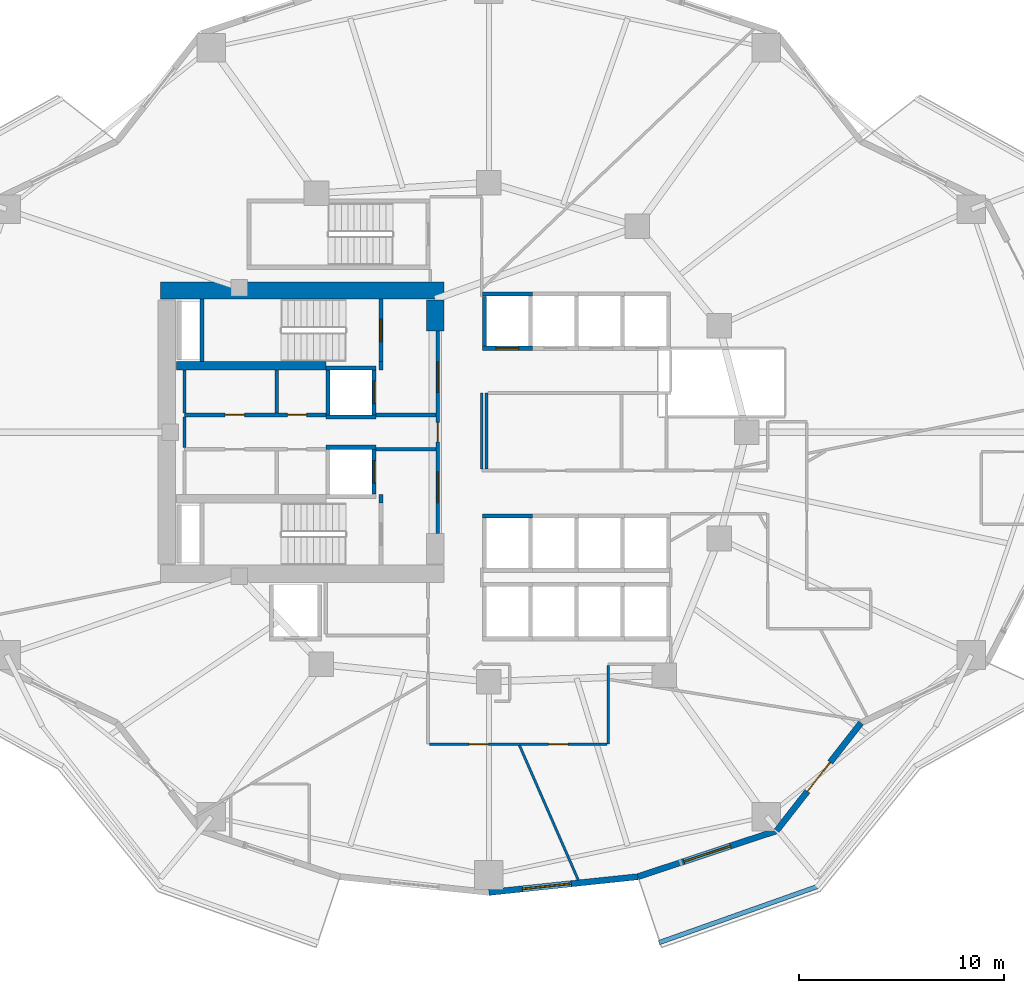
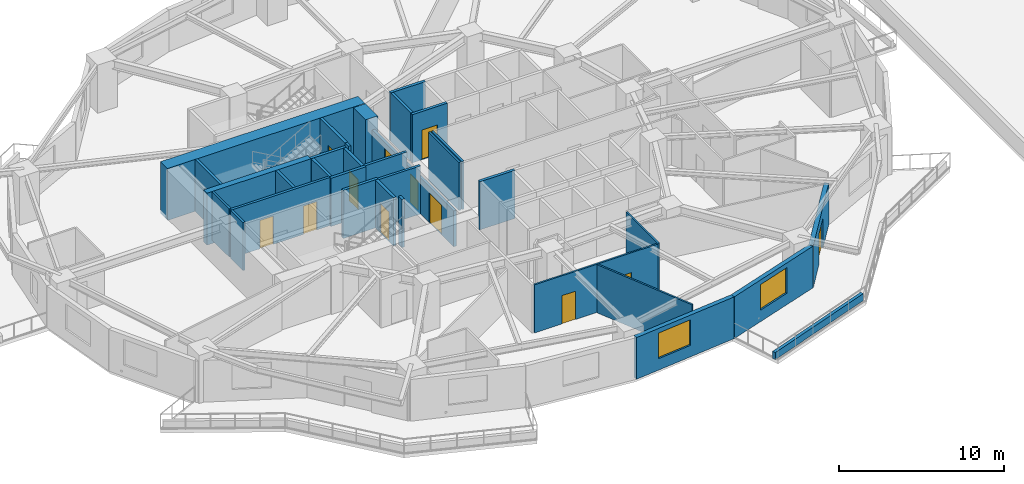
# One storey, part 4 of 13: 33 walls, 12 doors, 2 windows, 14 openings.
"""IFC4 building model written with IfcOpenShell, lengths in metres."""

import ifcopenshell
import ifcopenshell.guid

model = None  # the IFC model being written
_history = None  # IfcOwnerHistory: only IFC2X3 demands one
_inside = {}  # id of a spatial element -> (the spatial element, [elements in it])
_under = {}  # id of a project, library or spatial element -> (it, [spatial elements below it])
_declared = {}  # id of a project -> (the project, [libraries it declares])
_typed = {}  # id of a type object -> (the type object, [elements of that type])
_made_of = {}  # id of a material, layer set ... -> (it, [elements and type objects made of it])


def new_model(schema):
    """Start an empty IFC model of exactly this schema.

    Asked for "IFC4X3", IfcOpenShell would pick the latest addendum, in which some entities
    have other attributes; the version numbers below select the first issue.
    IFC2X3 requires an IfcOwnerHistory on every rooted entity: one is made here for all.
    """
    global model, _history
    if schema == "IFC4X3":
        model = ifcopenshell.file(schema_version=(4, 3, 0, 0))
    else:
        model = ifcopenshell.file(schema=schema)
    _inside.clear()
    _under.clear()
    _declared.clear()
    _typed.clear()
    _made_of.clear()
    _history = None
    if model.schema == "IFC2X3":
        org = make("IfcOrganization", Name="unknown")
        user = make(
            "IfcPersonAndOrganization",
            ThePerson=make("IfcPerson", FamilyName="unknown"),
            TheOrganization=org,
        )
        app = make(
            "IfcApplication",
            ApplicationDeveloper=org,
            Version="unknown",
            ApplicationFullName="unknown",
            ApplicationIdentifier="unknown",
        )
        _history = make(
            "IfcOwnerHistory",
            OwningUser=user,
            OwningApplication=app,
            ChangeAction="ADDED",
            CreationDate=0,
        )
    return model


def make(cls, **values):
    """One entity of the class cls with the attributes given. An attribute that is None is left unset."""
    return model.create_entity(
        cls, **{name: value for name, value in values.items() if value is not None}
    )


def rooted(cls, **values):
    """An entity with a GlobalId (a new one), such as an element, a storey or a relation."""
    return make(cls, GlobalId=ifcopenshell.guid.new(), OwnerHistory=_history, **values)


def si_unit(unit_type, name, prefix=None):
    """IfcSIUnit, for example si_unit("LENGTHUNIT", "METRE", prefix="MILLI")."""
    return make("IfcSIUnit", UnitType=unit_type, Prefix=prefix, Name=name)


def assignment(units):
    """IfcUnitAssignment: the units of a project."""
    return None if units is None else make("IfcUnitAssignment", Units=units)


def point(xyz):
    """IfcCartesianPoint."""
    return None if xyz is None else make("IfcCartesianPoint", Coordinates=xyz)


def direction(xyz):
    """IfcDirection."""
    return None if xyz is None else make("IfcDirection", DirectionRatios=xyz)


def frame(location, z_axis=None, x_axis=None):
    """IfcAxis2Placement3D, a coordinate frame: its origin and axes. An axis left out is left unset."""
    return make(
        "IfcAxis2Placement3D",
        Location=point(location),
        Axis=direction(z_axis),
        RefDirection=direction(x_axis),
    )


def frame_2d(location, x_axis=None):
    """IfcAxis2Placement2D, a coordinate frame in the plane: its origin and x axis."""
    return make(
        "IfcAxis2Placement2D", Location=point(location), RefDirection=direction(x_axis)
    )


def origin():
    """The frame at (0, 0, 0) with its axes left unset."""
    return frame((0.0, 0.0, 0.0))


def place(relative_to, where):
    """IfcLocalPlacement: puts the frame where relative to a parent placement (None: the world)."""
    return make(
        "IfcLocalPlacement", PlacementRelTo=relative_to, RelativePlacement=where
    )


def context(
    kind, dimensions, precision=None, world=None, true_north=None, identifier=None
):
    """IfcGeometricRepresentationContext, for example the 3D "Model" context."""
    return make(
        "IfcGeometricRepresentationContext",
        ContextIdentifier=identifier,
        ContextType=kind,
        CoordinateSpaceDimension=dimensions,
        Precision=precision,
        WorldCoordinateSystem=world,
        TrueNorth=true_north,
    )


def subcontext(parent, identifier, kind, view, scale=None):
    """IfcGeometricRepresentationSubContext, for example "Body" below "Model"."""
    return make(
        "IfcGeometricRepresentationSubContext",
        ContextIdentifier=identifier,
        ContextType=kind,
        ParentContext=parent,
        TargetScale=scale,
        TargetView=view,
    )


def project(units=None, contexts=None):
    """IfcProject with its units and contexts."""
    return rooted(
        "IfcProject",
        Name="project",
        RepresentationContexts=contexts,
        UnitsInContext=assignment(units),
    )


def spatial(cls, under=None, at=None, **own):
    """A site, building, storey or space (cls), placed at a placement, below another one or the project."""
    s = rooted(cls, ObjectPlacement=at, **own)
    if under is not None:
        _under.setdefault(under.id(), (under, []))[1].append(s)
    return s


def profile(cls, at=None, kind="AREA", **sizes):
    """A parametric profile (cls). Its sizes go by their IFC names, for example OverallWidth=200.0."""
    return make(cls, ProfileType=kind, Position=at, **sizes)


def rectangle(**sizes):
    """IfcRectangleProfileDef."""
    return profile("IfcRectangleProfileDef", **sizes)


def extrude(swept, where, along, depth):
    """IfcExtrudedAreaSolid: the profile swept, set in the frame where, extruded along a direction by depth."""
    return make(
        "IfcExtrudedAreaSolid",
        SweptArea=swept,
        Position=where,
        ExtrudedDirection=direction(along),
        Depth=depth,
    )


def shape(context_of_items, identifier, shape_type, items):
    """IfcShapeRepresentation: the items that make up one representation, for example the "Body"."""
    return make(
        "IfcShapeRepresentation",
        ContextOfItems=context_of_items,
        RepresentationIdentifier=identifier,
        RepresentationType=shape_type,
        Items=items,
    )


def material(Name=None, Category=None):
    """IfcMaterial."""
    return make("IfcMaterial", Name=Name, Category=Category)


def layer(
    of_material, thickness, ventilated=None, Name=None, Category=None, Priority=None
):
    """IfcMaterialLayer: one layer of a wall or slab, of a material (None: an air gap)."""
    return make(
        "IfcMaterialLayer",
        Material=of_material,
        LayerThickness=thickness,
        IsVentilated=ventilated,
        Name=Name,
        Category=Category,
        Priority=Priority,
    )


def layer_set(layers, Name=None):
    """IfcMaterialLayerSet."""
    return make("IfcMaterialLayerSet", MaterialLayers=layers, LayerSetName=Name)


def made_of(thing, what):
    """Note that an element or type object is made of a material, layer set ...; save() writes the relation."""
    if what is not None:
        _made_of.setdefault(what.id(), (what, []))[1].append(thing)
    return thing


def type_object(cls, material=None, **own):
    """A type object (cls), such as IfcWallType, which elements share."""
    return made_of(rooted(cls, **own), material)


def element(
    cls,
    number,
    at=None,
    inside=None,
    cuts=None,
    type_object=None,
    material=None,
    context=None,
    identifier="Body",
    shape_type=None,
    held_by="IfcProductDefinitionShape",
    body=None,
    shapes=None,
    **own,
):
    """One element of the class cls, such as IfcWall. Its Tag is "e" and its number.

    at: its placement. inside: the storey or other place that contains it. cuts: it is an
    opening in that element (IfcRelVoidsElement). A single representation is given by context,
    identifier, shape_type and body (its items); several are given by shapes. held_by: the class
    of the entity that holds the representations. save() writes the other relations.
    """
    e = rooted(cls, Tag="e%d" % number, ObjectPlacement=at, **own)
    if body is not None:
        shapes = [shape(context, identifier, shape_type, body)]
    if shapes is not None:
        e.Representation = make(held_by, Representations=shapes)
    if inside is not None:
        _inside.setdefault(inside.id(), (inside, []))[1].append(e)
    if cuts is not None:
        rooted(
            "IfcRelVoidsElement", RelatingBuildingElement=cuts, RelatedOpeningElement=e
        )
    if type_object is not None:
        _typed.setdefault(type_object.id(), (type_object, []))[1].append(e)
    return made_of(e, material)


def fill(opening, filler):
    """IfcRelFillsElement: the door or window that sits in an opening."""
    return rooted(
        "IfcRelFillsElement",
        RelatingOpeningElement=opening,
        RelatedBuildingElement=filler,
    )


def aggregate(whole, parts):
    """IfcRelAggregates: a whole, such as a stair, and the parts it consists of."""
    return rooted("IfcRelAggregates", RelatingObject=whole, RelatedObjects=parts)


def save(model, path):
    """Write the relations noted so far, then the file.

    IfcRelAggregates (storeys below a building ...), IfcRelContainedInSpatialStructure (elements
    in a storey), IfcRelDefinesByType, IfcRelAssociatesMaterial and IfcRelDeclares: one each for
    every whole, place, type object, material and project.
    """
    for whole, parts in _under.values():
        aggregate(whole, parts)
    for where, things in _inside.values():
        rooted(
            "IfcRelContainedInSpatialStructure",
            RelatedElements=things,
            RelatingStructure=where,
        )
    for kind, things in _typed.values():
        rooted("IfcRelDefinesByType", RelatedObjects=things, RelatingType=kind)
    for what, things in _made_of.values():
        rooted("IfcRelAssociatesMaterial", RelatedObjects=things, RelatingMaterial=what)
    for by, libraries in _declared.values():
        rooted("IfcRelDeclares", RelatingContext=by, RelatedDefinitions=libraries)
    model.write(path)


model = new_model("IFC4")

# Units and contexts
model_context = context("Model", 3, precision=1e-05, world=origin(), true_north=direction((0.0, 1.0)))
body_context = subcontext(model_context, "Body", "Model", "MODEL_VIEW")
ifc_project = project(units=[si_unit("LENGTHUNIT", "METRE"), si_unit("AREAUNIT", "SQUARE_METRE"), si_unit("VOLUMEUNIT", "CUBIC_METRE"), si_unit("PLANEANGLEUNIT", "RADIAN"), si_unit("MASSUNIT", "GRAM", prefix="KILO")], contexts=[model_context])

# Site, building, storey
site_placement = place(None, origin())
site = spatial("IfcSite", under=ifc_project, at=site_placement, CompositionType="ELEMENT")
building_placement = place(site_placement, origin())
building = spatial("IfcBuilding", under=site, at=building_placement, Name="Kolvaren Gate Tower and Convention Centre", CompositionType="ELEMENT")
storey_placement = place(building_placement, frame((0.0, 0.0, 26.5)))
storey = spatial("IfcBuildingStorey", under=building, at=storey_placement, Name="L05", CompositionType="ELEMENT", Elevation=26.5)

# Walls
ifc_material_1 = material(Name="Autoclaved Aerated Masonry Blockwork Class 4 (4.0 MPa)", Category="masonry")
ifc_layer_1 = layer(ifc_material_1, 0.179931640625)
ifc_layer_set_1 = layer_set([ifc_layer_1], Name="Autoclaved Aerated Masonry Blockwork Class 4 (4.0 MPa)")
wall_type_1 = type_object("IfcWallType", Name="ARCH-WL-COMP-180", PredefinedType="SOLIDWALL", material=ifc_layer_set_1)
for number, where, z_axis, x_axis, name in (
    (1, (24.85009765625, 23.5400390625, 0.0), (0.0, 0.0, 1.0), (0.0, 1.0, 0.0), "Interior Partition WL-L05-INT-001"),
    (2, (24.85009765625, 30.0400390625, 0.0), (0.0, 0.0, 1.0), (0.0, 1.0, 0.0), "Interior Partition WL-L05-INT-002"),
):
    element("IfcWall", number, at=place(storey_placement, frame(where, z_axis=z_axis, x_axis=x_axis)), inside=storey, type_object=wall_type_1, Name=name, PredefinedType="SOLIDWALL", context=body_context, shape_type="SweptSolid", body=[
        extrude(rectangle(XDim=0.419921875, YDim=0.179931640625, at=frame_2d((0.2099609375, 0.0))), origin(), (0.0, 0.0, 1.0), 3.570068359375),
    ])

# Wall, openings, doors
wall_1_placement = place(storey_placement, frame((27.6201171875, 22.050048828125, 0.0), z_axis=(0.0, 0.0, 1.0), x_axis=(0.0, 1.0, 0.0)))
wall_1 = element("IfcWall", 3, at=wall_1_placement, inside=storey, type_object=wall_type_1, Name="Interior Partition WL-L05-INT-003", PredefinedType="SOLIDWALL", context=body_context, shape_type="SweptSolid", body=[
    extrude(rectangle(XDim=9.89990234375, YDim=0.179931640625, at=frame_2d((4.949951171875, 0.0))), origin(), (0.0, 0.0, 1.0), 2.662109375),
])
opening_1_placement = place(wall_1_placement, frame((4.47509765625, 0.0, 0.0)))
opening_1 = element("IfcOpeningElement", 4, at=opening_1_placement, cuts=wall_1, Name="Opening DR-01", PredefinedType="OPENING", context=body_context, shape_type="SweptSolid", body=[
    extrude(rectangle(XDim=0.949951171875, YDim=2.10009765625, at=frame_2d((0.47509765625, 1.050048828125))), frame((0.0, 0.099853515625, 0.0), z_axis=(0.0, -1.0, 0.0), x_axis=(1.0, 0.0, 0.0)), (0.0, 0.0, 1.0), 0.199951171875),
])
opening_2_placement = place(wall_1_placement, frame((6.889892578125, 0.0, 0.0)))
opening_2 = element("IfcOpeningElement", 5, at=opening_2_placement, cuts=wall_1, Name="Opening DL-01", PredefinedType="OPENING", context=body_context, shape_type="SweptSolid", body=[
    extrude(rectangle(XDim=1.5, YDim=2.199951171875, at=frame_2d((0.75, 1.10009765625))), frame((0.0, 0.099853515625, 0.0), z_axis=(0.0, -1.0, 0.0), x_axis=(1.0, 0.0, 0.0)), (0.0, 0.0, 1.0), 0.199951171875),
])
opening_3_placement = place(wall_1_placement, frame((1.510009765625, 0.0, 0.0)))
opening_3 = element("IfcOpeningElement", 6, at=opening_3_placement, cuts=wall_1, Name="Opening DL-01", PredefinedType="OPENING", context=body_context, shape_type="SweptSolid", body=[
    extrude(rectangle(XDim=1.5, YDim=2.199951171875, at=frame_2d((0.75, 1.10009765625))), frame((0.0, 0.099853515625, 0.0), z_axis=(0.0, -1.0, 0.0), x_axis=(1.0, 0.0, 0.0)), (0.0, 0.0, 1.0), 0.199951171875),
])
ifc_material_2 = material(Name="Painted Architectural Steelwork ASTM A500 Grade C 345 MPa", Category="steel")
door_type_1 = type_object("IfcDoorType", Name="ARCH-DR-LOBBY-1500", OperationType="DOUBLE_DOOR_SINGLE_SWING", PredefinedType="DOOR", material=ifc_material_2)
door_1_placement = place(opening_2_placement, origin())
door_1 = element("IfcDoor", 7, at=door_1_placement, inside=storey, type_object=door_type_1, Name="North Firefighting Stair and Lift Lobby Door", OperationType="DOUBLE_DOOR_SINGLE_SWING", OverallHeight=2.199951171875, OverallWidth=1.5, PredefinedType="DOOR", context=body_context, shape_type="SweptSolid", body=[
    extrude(rectangle(XDim=1.5, YDim=2.199951171875, at=frame_2d((0.75, 1.10009765625))), frame((0.0, 0.02490234375, 0.0), z_axis=(0.0, -1.0, 0.0), x_axis=(1.0, 0.0, 0.0)), (0.0, 0.0, 1.0), 0.050048828125),
])
fill(opening_2, door_1)
door_2_placement = place(opening_3_placement, origin())
door_2 = element("IfcDoor", 8, at=door_2_placement, inside=storey, type_object=door_type_1, Name="South Firefighting Stair and Lift Lobby Door", OperationType="DOUBLE_DOOR_SINGLE_SWING", OverallHeight=2.199951171875, OverallWidth=1.5, PredefinedType="DOOR", context=body_context, shape_type="SweptSolid", body=[
    extrude(rectangle(XDim=1.5, YDim=2.199951171875, at=frame_2d((0.75, 1.10009765625))), frame((0.0, 0.02490234375, 0.0), z_axis=(0.0, -1.0, 0.0), x_axis=(1.0, 0.0, 0.0)), (0.0, 0.0, 1.0), 0.050048828125),
])
fill(opening_3, door_2)
door_type_2 = type_object("IfcDoorType", Name="ARCH-DR-RISER-950", OperationType="SINGLE_SWING_RIGHT", PredefinedType="DOOR", material=ifc_material_2)
door_3_placement = place(opening_1_placement, origin())
door_3 = element("IfcDoor", 9, at=door_3_placement, inside=storey, type_object=door_type_2, Name="Central MEP Service Corridor Door", OperationType="SINGLE_SWING_LEFT", OverallHeight=2.10009765625, OverallWidth=0.949951171875, PredefinedType="DOOR", context=body_context, shape_type="SweptSolid", body=[
    extrude(rectangle(XDim=0.949951171875, YDim=2.10009765625, at=frame_2d((0.47509765625, 1.050048828125))), frame((0.0, 0.02490234375, 0.0), z_axis=(0.0, -1.0, 0.0), x_axis=(1.0, 0.0, 0.0)), (0.0, 0.0, 1.0), 0.050048828125),
])
fill(opening_1, door_3)

wall_2_placement = place(storey_placement, frame((15.25, 27.840087890625, 0.0), z_axis=(0.0, 0.0, 1.0), x_axis=(1.0, 0.0, 0.0)))
wall_2 = element("IfcWall", 10, at=wall_2_placement, inside=storey, type_object=wall_type_1, Name="Interior Partition WL-L05-INT-004", PredefinedType="SOLIDWALL", context=body_context, shape_type="SweptSolid", body=[
    extrude(rectangle(XDim=6.89990234375, YDim=0.179931640625, at=frame_2d((3.449951171875, 0.0))), origin(), (0.0, 0.0, 1.0), 3.570068359375),
])
opening_4_placement = place(wall_2_placement, frame((5.02001953125, 0.0, 0.0)))
opening_4 = element("IfcOpeningElement", 11, at=opening_4_placement, cuts=wall_2, Name="Opening DR-01", PredefinedType="OPENING", context=body_context, shape_type="SweptSolid", body=[
    extrude(rectangle(XDim=0.949951171875, YDim=2.10009765625, at=frame_2d((0.47509765625, 1.050048828125))), frame((0.0, 0.099853515625, 0.0), z_axis=(0.0, -1.0, 0.0), x_axis=(1.0, 0.0, 0.0)), (0.0, 0.0, 1.0), 0.199951171875),
])
opening_5_placement = place(wall_2_placement, frame((1.97998046875, 0.0, 0.0)))
opening_5 = element("IfcOpeningElement", 12, at=opening_5_placement, cuts=wall_2, Name="Opening DR-01", PredefinedType="OPENING", context=body_context, shape_type="SweptSolid", body=[
    extrude(rectangle(XDim=0.949951171875, YDim=2.10009765625, at=frame_2d((0.47509765625, 1.050048828125))), frame((0.0, 0.099853515625, 0.0), z_axis=(0.0, -1.0, 0.0), x_axis=(1.0, 0.0, 0.0)), (0.0, 0.0, 1.0), 0.199951171875),
])
door_4_placement = place(opening_4_placement, origin())
door_4 = element("IfcDoor", 13, at=door_4_placement, inside=storey, type_object=door_type_2, Name="Electrical Switchgear Closet Door", OperationType="SINGLE_SWING_RIGHT", OverallHeight=2.10009765625, OverallWidth=0.949951171875, PredefinedType="DOOR", context=body_context, shape_type="SweptSolid", body=[
    extrude(rectangle(XDim=0.949951171875, YDim=2.10009765625, at=frame_2d((0.47509765625, 1.050048828125))), frame((0.0, 0.02490234375, 0.0), z_axis=(0.0, -1.0, 0.0), x_axis=(1.0, 0.0, 0.0)), (0.0, 0.0, 1.0), 0.050048828125),
])
fill(opening_4, door_4)
door_5_placement = place(opening_5_placement, origin())
door_5 = element("IfcDoor", 14, at=door_5_placement, inside=storey, type_object=door_type_2, Name="Staff Powder Washroom Door", OperationType="SINGLE_SWING_RIGHT", OverallHeight=2.10009765625, OverallWidth=0.949951171875, PredefinedType="DOOR", context=body_context, shape_type="SweptSolid", body=[
    extrude(rectangle(XDim=0.949951171875, YDim=2.10009765625, at=frame_2d((0.47509765625, 1.050048828125))), frame((0.0, 0.02490234375, 0.0), z_axis=(0.0, -1.0, 0.0), x_axis=(1.0, 0.0, 0.0)), (0.0, 0.0, 1.0), 0.050048828125),
])
fill(opening_5, door_5)

# Walls
for number, where, z_axis, x_axis, name in (
    (15, (24.60009765625, 27.840087890625, 0.0), (0.0, 0.0, 1.0), (1.0, 0.0, 0.0), "Interior Partition WL-L05-INT-004 (2)"),
    (16, (24.60009765625, 26.159912109375, 0.0), (0.0, 0.0, 1.0), (1.0, 0.0, 0.0), "Interior Partition WL-L05-INT-005 (2)"),
):
    element("IfcWall", number, at=place(storey_placement, frame(where, z_axis=z_axis, x_axis=x_axis)), inside=storey, type_object=wall_type_1, Name=name, PredefinedType="SOLIDWALL", context=body_context, shape_type="SweptSolid", body=[
        extrude(rectangle(XDim=2.927978515625, YDim=0.179931640625, at=frame_2d((1.4638671875, 0.0))), origin(), (0.0, 0.0, 1.0), 3.570068359375),
    ])
wall_3_placement = place(storey_placement, frame((19.75, 27.931884765625, 0.0), z_axis=(0.0, 0.0, 1.0), x_axis=(0.0, 1.0, 0.0)))
element("IfcWall", 17, at=wall_3_placement, inside=storey, type_object=wall_type_1, Name="Interior Partition WL-L05-INT-008", PredefinedType="SOLIDWALL", context=body_context, shape_type="SweptSolid", body=[
    extrude(rectangle(XDim=2.106201171875, YDim=0.179931640625, at=frame_2d((1.05322265625, 0.0))), origin(), (0.0, 0.0, 1.0), 3.570068359375),
])
ifc_material_3 = material(Name="Fire-Rated Acoustic Gypsum Stud Partition", Category="gypsum")
ifc_layer_2 = layer(ifc_material_3, 0.1201171875)
ifc_layer_set_2 = layer_set([ifc_layer_2], Name="Fire-Rated Acoustic Gypsum Stud Partition")
wall_type_2 = type_object("IfcWallType", Name="ARCH-WL-PART-120", PredefinedType="PARTITIONING", material=ifc_layer_set_2)
wall_4_placement = place(storey_placement, frame((35.949951171875, 11.75, 0.0), z_axis=(0.0, 0.0, 1.0), x_axis=(0.0, 1.0, 0.0)))
element("IfcWall", 18, at=wall_4_placement, inside=storey, type_object=wall_type_2, Name="Interior Partition WL-L05-INT-019", PredefinedType="PARTITIONING", context=body_context, shape_type="SweptSolid", body=[
    extrude(rectangle(XDim=3.837890625, YDim=0.1201171875, at=frame_2d((1.9189453125, 0.0))), origin(), (0.0, 0.0, 1.0), 3.570068359375),
])

# Wall, openings, doors
wall_5_placement = place(storey_placement, frame((27.22705078125, 11.75, 0.0), z_axis=(0.0, 0.0, 1.0), x_axis=(1.0, 0.0, 0.0)))
wall_5 = element("IfcWall", 19, at=wall_5_placement, inside=storey, type_object=wall_type_2, Name="Interior Partition WL-L05-INT-020", PredefinedType="PARTITIONING", context=body_context, shape_type="SweptSolid", body=[
    extrude(rectangle(XDim=8.660888671875, YDim=0.1201171875, at=frame_2d((4.33056640625, 0.0))), origin(), (0.0, 0.0, 1.0), 3.570068359375),
])
opening_6_placement = place(wall_5_placement, frame((1.92333984375, 0.0, 0.0)))
opening_6 = element("IfcOpeningElement", 20, at=opening_6_placement, cuts=wall_5, Name="Opening DR-01", PredefinedType="OPENING", context=body_context, shape_type="SweptSolid", body=[
    extrude(rectangle(XDim=0.949951171875, YDim=2.10009765625, at=frame_2d((0.47509765625, 1.050048828125))), frame((0.0, 0.070068359375, 0.0), z_axis=(0.0, -1.0, 0.0), x_axis=(1.0, 0.0, 0.0)), (0.0, 0.0, 1.0), 0.14013671875),
])
opening_7_placement = place(wall_5_placement, frame((5.822021484375, 0.0, 0.0)))
opening_7 = element("IfcOpeningElement", 21, at=opening_7_placement, cuts=wall_5, Name="Opening DR-01", PredefinedType="OPENING", context=body_context, shape_type="SweptSolid", body=[
    extrude(rectangle(XDim=0.949951171875, YDim=2.10009765625, at=frame_2d((0.47509765625, 1.050048828125))), frame((0.0, 0.070068359375, 0.0), z_axis=(0.0, -1.0, 0.0), x_axis=(1.0, 0.0, 0.0)), (0.0, 0.0, 1.0), 0.14013671875),
])
door_6_placement = place(opening_6_placement, origin())
door_6 = element("IfcDoor", 22, at=door_6_placement, inside=storey, type_object=door_type_2, Name="Corporate Open-Plan Office Door", OperationType="SINGLE_SWING_RIGHT", OverallHeight=2.10009765625, OverallWidth=0.949951171875, PredefinedType="DOOR", context=body_context, shape_type="SweptSolid", body=[
    extrude(rectangle(XDim=0.949951171875, YDim=2.10009765625, at=frame_2d((0.47509765625, 1.050048828125))), frame((0.0, 0.02490234375, 0.0), z_axis=(0.0, -1.0, 0.0), x_axis=(1.0, 0.0, 0.0)), (0.0, 0.0, 1.0), 0.050048828125),
])
fill(opening_6, door_6)
door_7_placement = place(opening_7_placement, origin())
door_7 = element("IfcDoor", 23, at=door_7_placement, inside=storey, type_object=door_type_2, Name="Executive Boardroom Door", OperationType="SINGLE_SWING_LEFT", OverallHeight=2.10009765625, OverallWidth=0.949951171875, PredefinedType="DOOR", context=body_context, shape_type="SweptSolid", body=[
    extrude(rectangle(XDim=0.949951171875, YDim=2.10009765625, at=frame_2d((0.47509765625, 1.050048828125))), frame((0.0, 0.02490234375, 0.0), z_axis=(0.0, -1.0, 0.0), x_axis=(1.0, 0.0, 0.0)), (0.0, 0.0, 1.0), 0.050048828125),
])
fill(opening_7, door_7)

# Walls
wall_6_placement = place(storey_placement, frame((29.780029296875, 25.197021484375, 0.0), z_axis=(0.0, 0.0, 1.0), x_axis=(0.0, 1.0, 0.0)))
element("IfcWall", 24, at=wall_6_placement, inside=storey, type_object=wall_type_2, Name="Interior Partition WL-L05-INT-024", PredefinedType="PARTITIONING", context=body_context, shape_type="SweptSolid", body=[
    extrude(rectangle(XDim=3.722900390625, YDim=0.1201171875, at=frame_2d((1.861328125, 0.0))), origin(), (0.0, 0.0, 1.0), 3.570068359375),
])
wall_7_placement = place(storey_placement, frame((31.619140625, 11.68798828125, 0.0), z_axis=(0.0, 0.0, 1.0), x_axis=(0.400197544586, -0.916428898119, 0.0)))
element("IfcWall", 25, at=wall_7_placement, inside=storey, type_object=wall_type_2, Name="Interior Partition WL-L05-INT-048", PredefinedType="PARTITIONING", context=body_context, shape_type="SweptSolid", body=[
    extrude(rectangle(XDim=7.1748046875, YDim=0.1201171875, at=frame_2d((3.58740234375, 0.0))), origin(), (0.0, 0.0, 1.0), 3.570068359375),
])
ifc_material_4 = material(Name="Piedmont Cream Honed Limestone Cladding", Category="masonry")
ifc_layer_3 = layer(ifc_material_4, 0.219970703125)
ifc_layer_set_3 = layer_set([ifc_layer_3], Name="Piedmont Cream Honed Limestone Cladding")
wall_type_3 = type_object("IfcWallType", Name="ARCH-WL-PLANTER-220", PredefinedType="PARAPET", material=ifc_layer_set_3)
wall_8_placement = place(storey_placement, frame((38.43798828125, 2.044921875, 0.0), z_axis=(0.0, 0.0, 1.0), x_axis=(0.942581348797, 0.333976647237, 0.0)))
element("IfcWall", 26, at=wall_8_placement, inside=storey, type_object=wall_type_3, Name="Vertical-Forest Balcony Stone Planter Kerb PK-L05-4.1", PredefinedType="PARAPET", context=body_context, shape_type="SweptSolid", body=[
    extrude(rectangle(XDim=8.235595703125, YDim=0.219970703125, at=frame_2d((4.11767578125, 0.0))), origin(), (0.0, 0.0, 1.0), 0.52001953125),
])
ifc_layer_4 = layer(ifc_material_1, 0.199951171875)
ifc_layer_set_4 = layer_set([ifc_layer_4], Name="Autoclaved Aerated Masonry Blockwork Class 4 (4.0 MPa)")
wall_type_4 = type_object("IfcWallType", Name="ARCH-WL-SHAFT-200", PredefinedType="SOLIDWALL", material=ifc_layer_set_4)
for number, where, z_axis, x_axis, name in (
    (27, (22.14990234375, 30.139892578125, 0.0), (0.0, 0.0, 1.0), (1.0, 0.0, 0.0), "Elevator FF-01 L05 Fire Shaft Wall N"),
    (28, (22.14990234375, 27.739990234375, 0.0), (0.0, 0.0, 1.0), (1.0, 0.0, 0.0), "Elevator FF-01 L05 Fire Shaft Wall S"),
):
    element("IfcWall", number, at=place(storey_placement, frame(where, z_axis=z_axis, x_axis=x_axis)), inside=storey, type_object=wall_type_4, Name=name, PredefinedType="SOLIDWALL", context=body_context, shape_type="SweptSolid", body=[
        extrude(rectangle(XDim=2.4501953125, YDim=0.199951171875, at=frame_2d((1.22509765625, 0.0))), origin(), (0.0, 0.0, 1.0), 3.570068359375),
    ])
wall_9_placement = place(storey_placement, frame((22.25, 27.85009765625, 0.0), z_axis=(0.0, 0.0, 1.0), x_axis=(0.0, 1.0, 0.0)))
element("IfcWall", 29, at=wall_9_placement, inside=storey, type_object=wall_type_4, Name="Elevator FF-01 L05 Fire Shaft Wall W", PredefinedType="SOLIDWALL", context=body_context, shape_type="SweptSolid", body=[
    extrude(rectangle(XDim=2.179931640625, YDim=0.199951171875, at=frame_2d((1.08984375, 0.0))), origin(), (0.0, 0.0, 1.0), 3.570068359375),
])

# Wall, opening, door
wall_10_placement = place(storey_placement, frame((24.5, 27.85009765625, 0.0), z_axis=(0.0, 0.0, 1.0), x_axis=(0.0, 1.0, 0.0)))
wall_10 = element("IfcWall", 30, at=wall_10_placement, inside=storey, type_object=wall_type_4, Name="Elevator FF-01 L05 Fire Shaft Wall E", PredefinedType="SOLIDWALL", context=body_context, shape_type="SweptSolid", body=[
    extrude(rectangle(XDim=2.179931640625, YDim=0.199951171875, at=frame_2d((1.08984375, 0.0))), origin(), (0.0, 0.0, 1.0), 3.570068359375),
])
opening_8_placement = place(wall_10_placement, frame((0.5400390625, 0.0, 0.0)))
opening_8 = element("IfcOpeningElement", 31, at=opening_8_placement, cuts=wall_10, Name="Opening LD", PredefinedType="OPENING", context=body_context, shape_type="SweptSolid", body=[
    extrude(rectangle(XDim=1.10009765625, YDim=2.199951171875, at=frame_2d((0.550048828125, 1.10009765625))), frame((0.0, 0.10986328125, 0.0), z_axis=(0.0, -1.0, 0.0), x_axis=(1.0, 0.0, 0.0)), (0.0, 0.0, 1.0), 0.219970703125),
])
ifc_material_5 = material(Name="Brushed Stainless Steel Grade 316L", Category="steel")
door_type_3 = type_object("IfcDoorType", Name="ARCH-DR-LIFT-1100", OperationType="SLIDING_TO_LEFT", PredefinedType="DOOR", material=ifc_material_5)
door_8_placement = place(opening_8_placement, origin())
door_8 = element("IfcDoor", 32, at=door_8_placement, inside=storey, type_object=door_type_3, Name="Elevator FF-01 L05 Sliding Landing Door", OperationType="SLIDING_TO_LEFT", OverallHeight=2.199951171875, OverallWidth=1.10009765625, PredefinedType="DOOR", context=body_context, shape_type="SweptSolid", body=[
    extrude(rectangle(XDim=1.10009765625, YDim=2.199951171875, at=frame_2d((0.550048828125, 1.10009765625))), frame((0.0, 0.02490234375, 0.0), z_axis=(0.0, -1.0, 0.0), x_axis=(1.0, 0.0, 0.0)), (0.0, 0.0, 1.0), 0.050048828125),
])
fill(opening_8, door_8)

# Wall
wall_11_placement = place(storey_placement, frame((22.14990234375, 26.260009765625, 0.0), z_axis=(0.0, 0.0, 1.0), x_axis=(1.0, 0.0, 0.0)))
element("IfcWall", 33, at=wall_11_placement, inside=storey, type_object=wall_type_4, Name="Elevator FF-02 L05 Fire Shaft Wall N", PredefinedType="SOLIDWALL", context=body_context, shape_type="SweptSolid", body=[
    extrude(rectangle(XDim=2.4501953125, YDim=0.199951171875, at=frame_2d((1.22509765625, 0.0))), origin(), (0.0, 0.0, 1.0), 3.570068359375),
])

# Wall, opening, door
wall_12_placement = place(storey_placement, frame((24.5, 23.969970703125, 0.0), z_axis=(0.0, 0.0, 1.0), x_axis=(0.0, 1.0, 0.0)))
wall_12 = element("IfcWall", 34, at=wall_12_placement, inside=storey, type_object=wall_type_4, Name="Elevator FF-02 L05 Fire Shaft Wall E", PredefinedType="SOLIDWALL", context=body_context, shape_type="SweptSolid", body=[
    extrude(rectangle(XDim=2.179931640625, YDim=0.199951171875, at=frame_2d((1.08984375, 0.0))), origin(), (0.0, 0.0, 1.0), 3.570068359375),
])
opening_9_placement = place(wall_12_placement, frame((0.5400390625, 0.0, 0.0)))
opening_9 = element("IfcOpeningElement", 35, at=opening_9_placement, cuts=wall_12, Name="Opening LD", PredefinedType="OPENING", context=body_context, shape_type="SweptSolid", body=[
    extrude(rectangle(XDim=1.10009765625, YDim=2.199951171875, at=frame_2d((0.550048828125, 1.10009765625))), frame((0.0, 0.10986328125, 0.0), z_axis=(0.0, -1.0, 0.0), x_axis=(1.0, 0.0, 0.0)), (0.0, 0.0, 1.0), 0.219970703125),
])
door_9_placement = place(opening_9_placement, origin())
door_9 = element("IfcDoor", 36, at=door_9_placement, inside=storey, type_object=door_type_3, Name="Elevator FF-02 L05 Sliding Landing Door", OperationType="SLIDING_TO_LEFT", OverallHeight=2.199951171875, OverallWidth=1.10009765625, PredefinedType="DOOR", context=body_context, shape_type="SweptSolid", body=[
    extrude(rectangle(XDim=1.10009765625, YDim=2.199951171875, at=frame_2d((0.550048828125, 1.10009765625))), frame((0.0, 0.02490234375, 0.0), z_axis=(0.0, -1.0, 0.0), x_axis=(1.0, 0.0, 0.0)), (0.0, 0.0, 1.0), 0.050048828125),
])
fill(opening_9, door_9)

# Wall
wall_13_placement = place(storey_placement, frame((29.800048828125, 33.75, 0.0), z_axis=(0.0, 0.0, 1.0), x_axis=(1.0, 0.0, 0.0)))
element("IfcWall", 37, at=wall_13_placement, inside=storey, type_object=wall_type_4, Name="Elevator PL-01 L05 Fire Shaft Wall N", PredefinedType="SOLIDWALL", context=body_context, shape_type="SweptSolid", body=[
    extrude(rectangle(XDim=2.449951171875, YDim=0.199951171875, at=frame_2d((1.22509765625, 0.0))), origin(), (0.0, 0.0, 1.0), 3.570068359375),
])

# Wall, opening, door
wall_14_placement = place(storey_placement, frame((29.800048828125, 31.10009765625, 0.0), z_axis=(0.0, 0.0, 1.0), x_axis=(1.0, 0.0, 0.0)))
wall_14 = element("IfcWall", 38, at=wall_14_placement, inside=storey, type_object=wall_type_4, Name="Elevator PL-01 L05 Fire Shaft Wall S", PredefinedType="SOLIDWALL", context=body_context, shape_type="SweptSolid", body=[
    extrude(rectangle(XDim=2.449951171875, YDim=0.199951171875, at=frame_2d((1.22509765625, 0.0))), origin(), (0.0, 0.0, 1.0), 3.570068359375),
])
opening_10_placement = place(wall_14_placement, frame((0.675048828125, 0.0, 0.0)))
opening_10 = element("IfcOpeningElement", 39, at=opening_10_placement, cuts=wall_14, Name="Opening LD", PredefinedType="OPENING", context=body_context, shape_type="SweptSolid", body=[
    extrude(rectangle(XDim=1.10009765625, YDim=2.199951171875, at=frame_2d((0.550048828125, 1.10009765625))), frame((0.0, 0.10986328125, 0.0), z_axis=(0.0, -1.0, 0.0), x_axis=(1.0, 0.0, 0.0)), (0.0, 0.0, 1.0), 0.219970703125),
])
door_10_placement = place(opening_10_placement, origin())
door_10 = element("IfcDoor", 40, at=door_10_placement, inside=storey, type_object=door_type_3, Name="Elevator PL-01 L05 Sliding Landing Door", OperationType="SLIDING_TO_LEFT", OverallHeight=2.199951171875, OverallWidth=1.10009765625, PredefinedType="DOOR", context=body_context, shape_type="SweptSolid", body=[
    extrude(rectangle(XDim=1.10009765625, YDim=2.199951171875, at=frame_2d((0.550048828125, 1.10009765625))), frame((0.0, 0.02490234375, 0.0), z_axis=(0.0, -1.0, 0.0), x_axis=(1.0, 0.0, 0.0)), (0.0, 0.0, 1.0), 0.050048828125),
])
fill(opening_10, door_10)

# Walls
wall_15_placement = place(storey_placement, frame((29.89990234375, 31.2099609375, 0.0), z_axis=(0.0, 0.0, 1.0), x_axis=(0.0, 1.0, 0.0)))
element("IfcWall", 41, at=wall_15_placement, inside=storey, type_object=wall_type_4, Name="Elevator PL-01 L05 Fire Shaft Wall W", PredefinedType="SOLIDWALL", context=body_context, shape_type="SweptSolid", body=[
    extrude(rectangle(XDim=2.429931640625, YDim=0.199951171875, at=frame_2d((1.21484375, 0.0))), origin(), (0.0, 0.0, 1.0), 3.570068359375),
])
wall_16_placement = place(storey_placement, frame((29.800048828125, 22.89990234375, 0.0), z_axis=(0.0, 0.0, 1.0), x_axis=(1.0, 0.0, 0.0)))
element("IfcWall", 42, at=wall_16_placement, inside=storey, type_object=wall_type_4, Name="Elevator PL-09 L05 Fire Shaft Wall N", PredefinedType="SOLIDWALL", context=body_context, shape_type="SweptSolid", body=[
    extrude(rectangle(XDim=2.449951171875, YDim=0.199951171875, at=frame_2d((1.22509765625, 0.0))), origin(), (0.0, 0.0, 1.0), 3.570068359375),
])

# Wall, opening, window
ifc_layer_5 = layer(ifc_material_4, 0.300048828125)
ifc_layer_set_5 = layer_set([ifc_layer_5], Name="Piedmont Cream Honed Limestone Cladding")
wall_type_5 = type_object("IfcWallType", Name="ARCH-WL-STONE-300", PredefinedType="SOLIDWALL", material=ifc_layer_set_5)
wall_17_placement = place(storey_placement, frame((30.125, 4.5, 0.0), z_axis=(0.0, 0.0, 1.0), x_axis=(0.994500334317, 0.104733399844, 0.0)))
wall_17 = element("IfcWall", 43, at=wall_17_placement, inside=storey, type_object=wall_type_5, Name="Tower L05 Honed Stone Spandrel Wall EW-18", PredefinedType="SOLIDWALL", context=body_context, shape_type="SweptSolid", body=[
    extrude(rectangle(XDim=7.319580078125, YDim=0.300048828125, at=frame_2d((3.65966796875, 0.0))), origin(), (0.0, 0.0, 1.0), 3.093017578125),
])
opening_11_placement = place(wall_17_placement, frame((1.64990234375, 0.0, 0.85009765625)))
opening_11 = element("IfcOpeningElement", 44, at=opening_11_placement, cuts=wall_17, Name="Opening W-01", PredefinedType="OPENING", context=body_context, shape_type="SweptSolid", body=[
    extrude(rectangle(XDim=2.39990234375, YDim=1.89990234375, at=frame_2d((1.199951171875, 0.949951171875))), frame((0.0, 0.159912109375, 0.0), z_axis=(0.0, -1.0, 0.0), x_axis=(1.0, 0.0, 0.0)), (0.0, 0.0, 1.0), 0.320068359375),
])
ifc_material_6 = material(Name="Low-E Triple Insulated Glazing Unit 44 mm", Category="glass")
window_type = type_object("IfcWindowType", Name="ARCH-WN-OFF-2400", PartitioningType="SINGLE_PANEL", PredefinedType="WINDOW", material=ifc_material_6)
window_1_placement = place(opening_11_placement, origin())
window_1 = element("IfcWindow", 45, at=window_1_placement, inside=storey, type_object=window_type, Name="Tower L05 Punched Stone Facade Window W-18", OverallHeight=1.89990234375, OverallWidth=2.39990234375, PartitioningType="SINGLE_PANEL", PredefinedType="WINDOW", context=body_context, shape_type="SweptSolid", body=[
    extrude(rectangle(XDim=2.39990234375, YDim=1.89990234375, at=frame_2d((1.199951171875, 0.949951171875))), frame((0.0, 0.030029296875, 0.0), z_axis=(0.0, -1.0, 0.0), x_axis=(1.0, 0.0, 0.0)), (0.0, 0.0, 1.0), 0.06005859375),
])
fill(opening_11, window_1)

wall_18_placement = place(storey_placement, frame((37.404296875, 5.2666015625, 0.0), z_axis=(0.0, 0.0, 1.0), x_axis=(0.949238715533, 0.31455661006, 0.0)))
wall_18 = element("IfcWall", 46, at=wall_18_placement, inside=storey, type_object=wall_type_5, Name="Tower L05 Honed Stone Spandrel Wall EW-19", PredefinedType="SOLIDWALL", context=body_context, shape_type="SweptSolid", body=[
    extrude(rectangle(XDim=7.14599609375, YDim=0.300048828125, at=frame_2d((3.572998046875, 0.0))), origin(), (0.0, 0.0, 1.0), 3.093017578125),
])
opening_12_placement = place(wall_18_placement, frame((2.373046875, 0.0, 0.85009765625)))
opening_12 = element("IfcOpeningElement", 47, at=opening_12_placement, cuts=wall_18, Name="Opening W-01", PredefinedType="OPENING", context=body_context, shape_type="SweptSolid", body=[
    extrude(rectangle(XDim=2.39990234375, YDim=1.89990234375, at=frame_2d((1.199951171875, 0.949951171875))), frame((0.0, 0.159912109375, 0.0), z_axis=(0.0, -1.0, 0.0), x_axis=(1.0, 0.0, 0.0)), (0.0, 0.0, 1.0), 0.320068359375),
])
window_2_placement = place(opening_12_placement, origin())
window_2 = element("IfcWindow", 48, at=window_2_placement, inside=storey, type_object=window_type, Name="Tower L05 Punched Stone Facade Window W-19", OverallHeight=1.89990234375, OverallWidth=2.39990234375, PartitioningType="SINGLE_PANEL", PredefinedType="WINDOW", context=body_context, shape_type="SweptSolid", body=[
    extrude(rectangle(XDim=2.39990234375, YDim=1.89990234375, at=frame_2d((1.199951171875, 0.949951171875))), frame((0.0, 0.030029296875, 0.0), z_axis=(0.0, -1.0, 0.0), x_axis=(1.0, 0.0, 0.0)), (0.0, 0.0, 1.0), 0.06005859375),
])
fill(opening_12, window_2)

# Wall, opening, door
wall_19_placement = place(storey_placement, frame((44.1875, 7.514404296875, 0.0), z_axis=(0.0, 0.0, 1.0), x_axis=(0.616421309777, 0.787416515482, 0.0)))
wall_19 = element("IfcWall", 49, at=wall_19_placement, inside=storey, type_object=wall_type_5, Name="Tower L05 Honed Stone Spandrel Wall EW-20", PredefinedType="SOLIDWALL", context=body_context, shape_type="SweptSolid", body=[
    extrude(rectangle(XDim=6.6962890625, YDim=0.300048828125, at=frame_2d((3.34814453125, 0.0))), origin(), (0.0, 0.0, 1.0), 3.093017578125),
])
opening_13_placement = place(wall_19_placement, frame((2.447998046875, 0.0, 0.0)))
opening_13 = element("IfcOpeningElement", 50, at=opening_13_placement, cuts=wall_19, Name="Opening DB-01", PredefinedType="OPENING", context=body_context, shape_type="SweptSolid", body=[
    extrude(rectangle(XDim=1.800048828125, YDim=2.25, at=frame_2d((0.89990234375, 1.125))), frame((0.0, 0.159912109375, 0.0), z_axis=(0.0, -1.0, 0.0), x_axis=(1.0, 0.0, 0.0)), (0.0, 0.0, 1.0), 0.320068359375),
])
ifc_material_7 = material(Name="Anodized Architectural Aluminium Alloy 6063-T6", Category="aluminium")
door_type_4 = type_object("IfcDoorType", Name="ARCH-DR-BALC-1800", OperationType="SLIDING_TO_LEFT", PredefinedType="DOOR", material=ifc_material_7)
door_11_placement = place(opening_13_placement, frame((1.800048828125, 0.0, 0.0), z_axis=(0.0, 0.0, 1.0), x_axis=(-1.0, 0.0, 0.0)))
door_11 = element("IfcDoor", 51, at=door_11_placement, inside=storey, type_object=door_type_4, Name="Planted Sky Terrace Access Door DB-L05-20", OperationType="SLIDING_TO_LEFT", OverallHeight=2.25, OverallWidth=1.800048828125, PredefinedType="DOOR", context=body_context, shape_type="SweptSolid", body=[
    extrude(rectangle(XDim=1.800048828125, YDim=2.25, at=frame_2d((0.89990234375, 1.125))), frame((0.0, 0.02490234375, 0.0), z_axis=(0.0, -1.0, 0.0), x_axis=(1.0, 0.0, 0.0)), (0.0, 0.0, 1.0), 0.050048828125),
])
fill(opening_13, door_11)

# Walls
ifc_material_8 = material(Name="Moisture-Resistant Cement-Board Acoustic Partition", Category="gypsum")
ifc_layer_6 = layer(ifc_material_8, 0.14990234375)
ifc_layer_set_6 = layer_set([ifc_layer_6], Name="Moisture-Resistant Cement-Board Acoustic Partition")
wall_type_6 = type_object("IfcWallType", Name="ARCH-WL-WET-150", PredefinedType="PARTITIONING", material=ifc_layer_set_6)
wall_20_placement = place(storey_placement, frame((15.25, 26.251953125, 0.0), z_axis=(0.0, 0.0, 1.0), x_axis=(0.0, 1.0, 0.0)))
element("IfcWall", 52, at=wall_20_placement, inside=storey, type_object=wall_type_6, Name="Interior Partition WL-L05-INT-006 (2)", PredefinedType="PARTITIONING", context=body_context, shape_type="SweptSolid", body=[
    extrude(rectangle(XDim=1.49609375, YDim=0.14990234375, at=frame_2d((0.748046875, 0.0))), origin(), (0.0, 0.0, 1.0), 3.570068359375),
])
wall_21_placement = place(storey_placement, frame((15.25, 27.931884765625, 0.0), z_axis=(0.0, 0.0, 1.0), x_axis=(0.0, 1.0, 0.0)))
element("IfcWall", 53, at=wall_21_placement, inside=storey, type_object=wall_type_6, Name="Interior Partition WL-L05-INT-006 (3)", PredefinedType="PARTITIONING", context=body_context, shape_type="SweptSolid", body=[
    extrude(rectangle(XDim=2.106201171875, YDim=0.14990234375, at=frame_2d((1.05322265625, 0.0))), origin(), (0.0, 0.0, 1.0), 3.570068359375),
])
wall_22_placement = place(storey_placement, frame((30.0, 25.197021484375, 0.0), z_axis=(0.0, 0.0, 1.0), x_axis=(0.0, 1.0, 0.0)))
element("IfcWall", 54, at=wall_22_placement, inside=storey, type_object=wall_type_6, Name="Interior Partition WL-L05-INT-013", PredefinedType="PARTITIONING", context=body_context, shape_type="SweptSolid", body=[
    extrude(rectangle(XDim=3.722900390625, YDim=0.14990234375, at=frame_2d((1.861328125, 0.0))), origin(), (0.0, 0.0, 1.0), 3.570068359375),
])
ifc_material_9 = material(Name="Concrete C50/60", Category="concrete")
ifc_layer_7 = layer(ifc_material_9, 0.419921875)
ifc_layer_set_7 = layer_set([ifc_layer_7], Name="Concrete C50/60")
wall_type_7 = type_object("IfcWallType", Name="STR-WL-CONV-420", PredefinedType="SHEAR", material=ifc_layer_set_7)
wall_23_placement = place(storey_placement, frame((14.85009765625, 30.25, -0.280029296875), z_axis=(0.0, 0.0, 1.0), x_axis=(1.0, 0.0, 0.0)))
element("IfcWall", 55, at=wall_23_placement, inside=storey, type_object=wall_type_7, Name="Tower L05 Offset Core Shear Wall WN", PredefinedType="SHEAR", context=body_context, shape_type="SweptSolid", body=[
    extrude(rectangle(XDim=7.2998046875, YDim=0.419921875, at=frame_2d((3.64990234375, 0.0))), origin(), (0.0, 0.0, 1.0), 3.85009765625),
])
ifc_material_10 = material(Name="Concrete C70/85", Category="concrete")
ifc_layer_8 = layer(ifc_material_10, 0.85009765625)
ifc_layer_set_8 = layer_set([ifc_layer_8], Name="Concrete C70/85")
wall_type_8 = type_object("IfcWallType", Name="STR-WL-CORE-850", PredefinedType="SHEAR", material=ifc_layer_set_8)
wall_24_placement = place(storey_placement, frame((14.074951171875, 33.925048828125, -0.280029296875), z_axis=(0.0, 0.0, 1.0), x_axis=(1.0, 0.0, 0.0)))
element("IfcWall", 56, at=wall_24_placement, inside=storey, type_object=wall_type_8, Name="Tower L05 Offset Core Shear Wall N", PredefinedType="SHEAR", context=body_context, shape_type="SweptSolid", body=[
    extrude(rectangle(XDim=13.85009765625, YDim=0.85009765625, at=frame_2d((6.925048828125, 0.0))), origin(), (0.0, 0.0, 1.0), 3.85009765625),
])
wall_25_placement = place(storey_placement, frame((27.5, 31.949951171875, -0.280029296875), z_axis=(0.0, 0.0, 1.0), x_axis=(0.0, 1.0, 0.0)))
element("IfcWall", 57, at=wall_25_placement, inside=storey, type_object=wall_type_8, Name="Tower L05 Offset Core Shear Wall EN", PredefinedType="SHEAR", context=body_context, shape_type="SweptSolid", body=[
    extrude(rectangle(XDim=1.5, YDim=0.85009765625, at=frame_2d((0.75, 0.0))), origin(), (0.0, 0.0, 1.0), 3.85009765625),
])

# Wall, opening, door
ifc_layer_9 = layer(ifc_material_9, 0.199951171875)
ifc_layer_set_9 = layer_set([ifc_layer_9], Name="Concrete C50/60")
wall_type_9 = type_object("IfcWallType", Name="STR-WL-SHAFT-200", PredefinedType="SHEAR", material=ifc_layer_set_9)
wall_26_placement = place(storey_placement, frame((24.85009765625, 30.4599609375, -0.280029296875), z_axis=(0.0, 0.0, 1.0), x_axis=(0.0, 1.0, 0.0)))
wall_26 = element("IfcWall", 58, at=wall_26_placement, inside=storey, type_object=wall_type_9, Name="Tower North Exit Stair ST-T1 L05 Structural Shear Enclosure Wall NEAR", PredefinedType="SHEAR", context=body_context, shape_type="SweptSolid", body=[
    extrude(rectangle(XDim=3.0380859375, YDim=0.199951171875, at=frame_2d((1.51904296875, 0.0))), origin(), (0.0, 0.0, 1.0), 3.85009765625),
])
opening_14_placement = place(wall_26_placement, frame((0.968994140625, 0.0, 0.280029296875)))
opening_14 = element("IfcOpeningElement", 59, at=opening_14_placement, cuts=wall_26, Name="Opening DS-01", PredefinedType="OPENING", context=body_context, shape_type="SweptSolid", body=[
    extrude(rectangle(XDim=1.10009765625, YDim=2.14990234375, at=frame_2d((0.550048828125, 1.074951171875))), frame((0.0, 0.10986328125, 0.0), z_axis=(0.0, -1.0, 0.0), x_axis=(1.0, 0.0, 0.0)), (0.0, 0.0, 1.0), 0.219970703125),
])
door_type_5 = type_object("IfcDoorType", Name="ARCH-DR-STAIR-1100", OperationType="SINGLE_SWING_LEFT", PredefinedType="DOOR", material=ifc_material_2)
door_12_placement = place(opening_14_placement, origin())
door_12 = element("IfcDoor", 60, at=door_12_placement, inside=storey, type_object=door_type_5, Name="Tower North Exit Stair ST-T1 L05 Fire Exit Stair Door", OperationType="SINGLE_SWING_LEFT", OverallHeight=2.14990234375, OverallWidth=1.10009765625, PredefinedType="DOOR", context=body_context, shape_type="SweptSolid", body=[
    extrude(rectangle(XDim=1.10009765625, YDim=2.14990234375, at=frame_2d((0.550048828125, 1.074951171875))), frame((0.0, 0.02490234375, 0.0), z_axis=(0.0, -1.0, 0.0), x_axis=(1.0, 0.0, 0.0)), (0.0, 0.0, 1.0), 0.050048828125),
])
fill(opening_14, door_12)

# Wall
wall_27_placement = place(storey_placement, frame((16.10009765625, 30.4619140625, -0.280029296875), z_axis=(0.0, 0.0, 1.0), x_axis=(0.0, 1.0, 0.0)))
element("IfcWall", 61, at=wall_27_placement, inside=storey, type_object=wall_type_9, Name="Tower North Exit Stair ST-T1 L05 Structural Shear Enclosure Wall FAR", PredefinedType="SHEAR", context=body_context, shape_type="SweptSolid", body=[
    extrude(rectangle(XDim=3.0361328125, YDim=0.199951171875, at=frame_2d((1.51806640625, 0.0))), origin(), (0.0, 0.0, 1.0), 3.85009765625),
])

save(model, "model.ifc")
